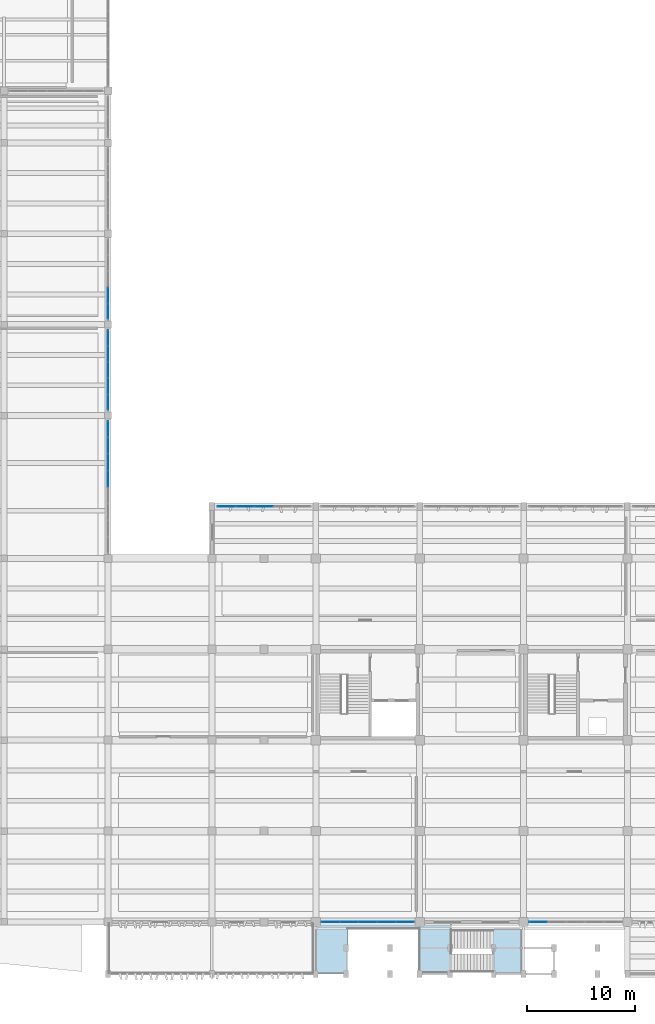
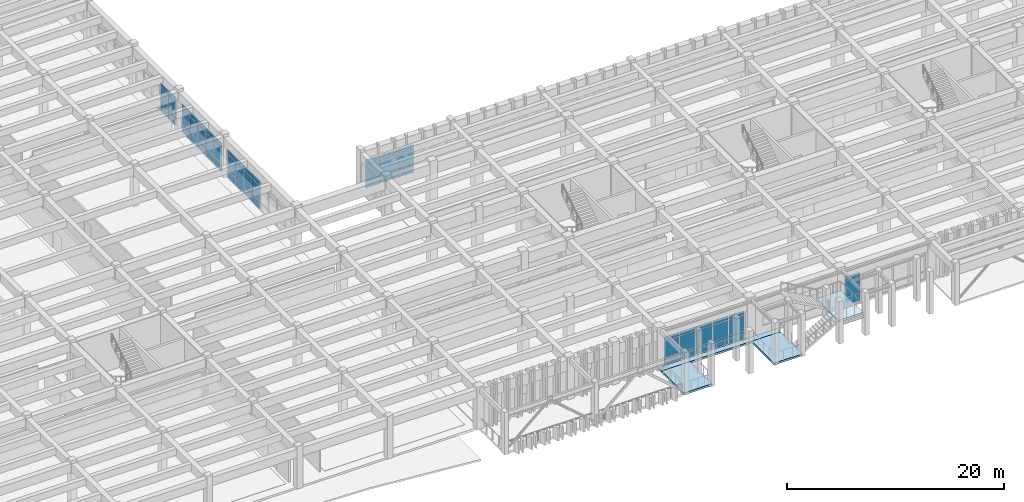
# One storey, part 46 of 86: 60 plates, 4 slabs, 7 elements without a shape of their own.
"""IFC4 building model written with IfcOpenShell, lengths in metres."""

from ifc_helpers import new_model, si_unit, direction, frame, origin, origin_2d, place, context, subcontext, project, spatial, polyline, rectangle, outline, extrude, material, layer, layer_set, type_object, element, aggregate, save


model = new_model("IFC4")

# Units and contexts
model_context = context("Model", 3, precision=1e-05, world=origin(), true_north=direction((0.0, 1.0)))
body_context = subcontext(model_context, "Body", "Model", "MODEL_VIEW")
ifc_project = project(units=[si_unit("LENGTHUNIT", "METRE"), si_unit("AREAUNIT", "SQUARE_METRE"), si_unit("VOLUMEUNIT", "CUBIC_METRE"), si_unit("PLANEANGLEUNIT", "RADIAN"), si_unit("MASSUNIT", "GRAM", prefix="KILO")], contexts=[model_context])

# Site, building, storey
site_placement = place(None, origin())
site = spatial("IfcSite", under=ifc_project, at=site_placement, CompositionType="ELEMENT")
building_placement = place(site_placement, origin())
building = spatial("IfcBuilding", under=site, at=building_placement, Name="Kolvemor Railside Polytechnic", CompositionType="ELEMENT")
storey_placement = place(building_placement, frame((0.0, 0.0, 5.39990234375)))
storey = spatial("IfcBuildingStorey", under=building, at=storey_placement, Name="L01", CompositionType="ELEMENT", Elevation=5.39990234375)

# Curtain wall, plates
ifc_material_1 = material(Name="Anodised marine aluminium and laminated low-E glass", Category="aluminium")
ifc_layer_1 = layer(ifc_material_1, 0.179931640625, Name="CW-UNIT-STD")
ifc_layer_set_1 = layer_set([ifc_layer_1], Name="Anodised marine aluminium and laminated low-E glass")
curtain_wall_type = type_object("IfcCurtainWallType", Name="CW-UNIT-STD", PredefinedType="USERDEFINED", material=ifc_layer_set_1)
curtain_wall_1_placement = place(storey_placement, origin())
curtain_wall_1 = element("IfcCurtainWall", 1, at=curtain_wall_1_placement, inside=storey, type_object=curtain_wall_type, Name="Curtain Wall L01-113", ObjectType="UNITISED CURTAIN WALL", PredefinedType="USERDEFINED")
ifc_material_2 = material(Name="Hurricane-laminated solar-control low-E glass", Category="glass")
ifc_layer_2 = layer(ifc_material_2, 0.02587890625, Name="CWP-GLZ-03")
ifc_layer_set_2 = layer_set([ifc_layer_2], Name="Hurricane-laminated solar-control low-E glass")
plate_type_1 = type_object("IfcPlateType", Name="CWP-GLZ-03", PredefinedType="CURTAIN_PANEL", material=ifc_layer_set_2)
plate_1_placement = place(storey_placement, frame((62.39990234375, 43.199951171875, 0.06494140625), z_axis=(0.0, 0.0, 1.0), x_axis=(-1.0, 0.0, 0.0)))
plate_1 = element("IfcPlate", 2, at=plate_1_placement, type_object=plate_type_1, Name="CW-STD panel 3.1", PredefinedType="CURTAIN_PANEL", context=body_context, shape_type="SweptSolid", body=[
    extrude(rectangle(XDim=1.6669921875, YDim=0.02587890625, at=origin_2d()), origin(), (0.0, 0.0, 1.0), 0.802490234375),
])
plate_2_placement = place(storey_placement, frame((62.39990234375, 43.199951171875, 0.9326171875), z_axis=(0.0, 0.0, 1.0), x_axis=(-1.0, 0.0, 0.0)))
plate_2 = element("IfcPlate", 3, at=plate_2_placement, type_object=plate_type_1, Name="CW-STD panel 3.2", PredefinedType="CURTAIN_PANEL", context=body_context, shape_type="SweptSolid", body=[
    extrude(rectangle(XDim=1.6669921875, YDim=0.02587890625, at=origin_2d()), origin(), (0.0, 0.0, 1.0), 1.764892578125),
])
plate_3_placement = place(storey_placement, frame((62.39990234375, 43.199951171875, 2.7626953125), z_axis=(0.0, 0.0, 1.0), x_axis=(-1.0, 0.0, 0.0)))
plate_3 = element("IfcPlate", 4, at=plate_3_placement, type_object=plate_type_1, Name="CW-STD panel 3.3", PredefinedType="CURTAIN_PANEL", context=body_context, shape_type="SweptSolid", body=[
    extrude(rectangle(XDim=1.6669921875, YDim=0.02587890625, at=origin_2d()), origin(), (0.0, 0.0, 1.0), 0.452392578125),
])
plate_4_placement = place(storey_placement, frame((60.66796875, 43.199951171875, 0.06494140625), z_axis=(0.0, 0.0, 1.0), x_axis=(-1.0, 0.0, 0.0)))
plate_4 = element("IfcPlate", 5, at=plate_4_placement, type_object=plate_type_1, Name="CW-STD panel 4.1", PredefinedType="CURTAIN_PANEL", context=body_context, shape_type="SweptSolid", body=[
    extrude(rectangle(XDim=1.6669921875, YDim=0.02587890625, at=origin_2d()), origin(), (0.0, 0.0, 1.0), 0.802490234375),
])
plate_5_placement = place(storey_placement, frame((60.66796875, 43.199951171875, 0.9326171875), z_axis=(0.0, 0.0, 1.0), x_axis=(-1.0, 0.0, 0.0)))
plate_5 = element("IfcPlate", 6, at=plate_5_placement, type_object=plate_type_1, Name="CW-STD panel 4.2", PredefinedType="CURTAIN_PANEL", context=body_context, shape_type="SweptSolid", body=[
    extrude(rectangle(XDim=1.6669921875, YDim=0.02587890625, at=origin_2d()), origin(), (0.0, 0.0, 1.0), 1.764892578125),
])
plate_6_placement = place(storey_placement, frame((60.66796875, 43.199951171875, 2.7626953125), z_axis=(0.0, 0.0, 1.0), x_axis=(-1.0, 0.0, 0.0)))
plate_6 = element("IfcPlate", 7, at=plate_6_placement, type_object=plate_type_1, Name="CW-STD panel 4.3", PredefinedType="CURTAIN_PANEL", context=body_context, shape_type="SweptSolid", body=[
    extrude(rectangle(XDim=1.6669921875, YDim=0.02587890625, at=origin_2d()), origin(), (0.0, 0.0, 1.0), 0.452392578125),
])
plate_7_placement = place(storey_placement, frame((58.9521484375, 43.199951171875, 0.06494140625), z_axis=(0.0, 0.0, 1.0), x_axis=(-1.0, 0.0, 0.0)))
plate_7 = element("IfcPlate", 8, at=plate_7_placement, type_object=plate_type_1, Name="CW-STD panel 5.1", PredefinedType="CURTAIN_PANEL", context=body_context, shape_type="SweptSolid", body=[
    extrude(rectangle(XDim=1.634521484375, YDim=0.02587890625, at=origin_2d()), origin(), (0.0, 0.0, 1.0), 0.802490234375),
])
plate_8_placement = place(storey_placement, frame((58.9521484375, 43.199951171875, 0.9326171875), z_axis=(0.0, 0.0, 1.0), x_axis=(-1.0, 0.0, 0.0)))
plate_8 = element("IfcPlate", 9, at=plate_8_placement, type_object=plate_type_1, Name="CW-STD panel 5.2", PredefinedType="CURTAIN_PANEL", context=body_context, shape_type="SweptSolid", body=[
    extrude(rectangle(XDim=1.634521484375, YDim=0.02587890625, at=origin_2d()), origin(), (0.0, 0.0, 1.0), 1.764892578125),
])
plate_9_placement = place(storey_placement, frame((58.9521484375, 43.199951171875, 2.7626953125), z_axis=(0.0, 0.0, 1.0), x_axis=(-1.0, 0.0, 0.0)))
plate_9 = element("IfcPlate", 10, at=plate_9_placement, type_object=plate_type_1, Name="CW-STD panel 5.3", PredefinedType="CURTAIN_PANEL", context=body_context, shape_type="SweptSolid", body=[
    extrude(rectangle(XDim=1.634521484375, YDim=0.02587890625, at=origin_2d()), origin(), (0.0, 0.0, 1.0), 0.452392578125),
])
aggregate(curtain_wall_1, [plate_1, plate_2, plate_3, plate_4, plate_5, plate_6, plate_7, plate_8, plate_9])

curtain_wall_2_placement = place(storey_placement, origin())
curtain_wall_2 = element("IfcCurtainWall", 11, at=curtain_wall_2_placement, inside=storey, type_object=curtain_wall_type, Name="Curtain Wall L01-096", ObjectType="UNITISED CURTAIN WALL", PredefinedType="USERDEFINED")
ifc_material_3 = material(Name="Hurricane-laminated solar-control low-E glass", Category="glass")
ifc_layer_3 = layer(ifc_material_3, 0.031982421875, Name="CWP-GLZ-06")
ifc_layer_set_3 = layer_set([ifc_layer_3], Name="Hurricane-laminated solar-control low-E glass")
plate_type_2 = type_object("IfcPlateType", Name="CWP-GLZ-06", PredefinedType="CURTAIN_PANEL", material=ifc_layer_set_3)
plate_10_placement = place(storey_placement, frame((68.5546875, 4.800048828125, 0.074951171875), z_axis=(0.0, 0.0, 1.0), x_axis=(1.0, 0.0, 0.0)))
plate_10 = element("IfcPlate", 12, at=plate_10_placement, type_object=plate_type_2, Name="CW-STD panel 1.1", PredefinedType="CURTAIN_PANEL", context=body_context, shape_type="SweptSolid", body=[
    extrude(rectangle(XDim=1.619384765625, YDim=0.031982421875, at=origin_2d()), origin(), (0.0, 0.0, 1.0), 0.78759765625),
])
plate_11_placement = place(storey_placement, frame((68.5546875, 4.800048828125, 0.937744140625), z_axis=(0.0, 0.0, 1.0), x_axis=(1.0, 0.0, 0.0)))
plate_11 = element("IfcPlate", 13, at=plate_11_placement, type_object=plate_type_2, Name="CW-STD panel 1.2", PredefinedType="CURTAIN_PANEL", context=body_context, shape_type="SweptSolid", body=[
    extrude(rectangle(XDim=1.619384765625, YDim=0.031982421875, at=origin_2d()), origin(), (0.0, 0.0, 1.0), 1.7548828125),
])
plate_12_placement = place(storey_placement, frame((68.5546875, 4.800048828125, 2.767578125), z_axis=(0.0, 0.0, 1.0), x_axis=(1.0, 0.0, 0.0)))
plate_12 = element("IfcPlate", 14, at=plate_12_placement, type_object=plate_type_2, Name="CW-STD panel 1.3", PredefinedType="CURTAIN_PANEL", context=body_context, shape_type="SweptSolid", body=[
    extrude(rectangle(XDim=1.619384765625, YDim=0.031982421875, at=origin_2d()), origin(), (0.0, 0.0, 1.0), 0.4375),
])
plate_13_placement = place(storey_placement, frame((70.26806640625, 4.800048828125, 0.074951171875), z_axis=(0.0, 0.0, 1.0), x_axis=(1.0, 0.0, 0.0)))
plate_13 = element("IfcPlate", 15, at=plate_13_placement, type_object=plate_type_2, Name="CW-STD panel 2.1", PredefinedType="CURTAIN_PANEL", context=body_context, shape_type="SweptSolid", body=[
    extrude(rectangle(XDim=1.656982421875, YDim=0.031982421875, at=origin_2d()), origin(), (0.0, 0.0, 1.0), 0.78759765625),
])
plate_14_placement = place(storey_placement, frame((70.26806640625, 4.800048828125, 0.937744140625), z_axis=(0.0, 0.0, 1.0), x_axis=(1.0, 0.0, 0.0)))
plate_14 = element("IfcPlate", 16, at=plate_14_placement, type_object=plate_type_2, Name="CW-STD panel 2.2", PredefinedType="CURTAIN_PANEL", context=body_context, shape_type="SweptSolid", body=[
    extrude(rectangle(XDim=1.656982421875, YDim=0.031982421875, at=origin_2d()), origin(), (0.0, 0.0, 1.0), 1.7548828125),
])
plate_15_placement = place(storey_placement, frame((70.26806640625, 4.800048828125, 2.767578125), z_axis=(0.0, 0.0, 1.0), x_axis=(1.0, 0.0, 0.0)))
plate_15 = element("IfcPlate", 17, at=plate_15_placement, type_object=plate_type_2, Name="CW-STD panel 2.3", PredefinedType="CURTAIN_PANEL", context=body_context, shape_type="SweptSolid", body=[
    extrude(rectangle(XDim=1.656982421875, YDim=0.031982421875, at=origin_2d()), origin(), (0.0, 0.0, 1.0), 0.4375),
])
plate_16_placement = place(storey_placement, frame((72.0, 4.800048828125, 0.074951171875), z_axis=(0.0, 0.0, 1.0), x_axis=(1.0, 0.0, 0.0)))
plate_16 = element("IfcPlate", 18, at=plate_16_placement, type_object=plate_type_2, Name="CW-STD panel 3.1", PredefinedType="CURTAIN_PANEL", context=body_context, shape_type="SweptSolid", body=[
    extrude(rectangle(XDim=1.656982421875, YDim=0.031982421875, at=origin_2d()), origin(), (0.0, 0.0, 1.0), 0.78759765625),
])
plate_17_placement = place(storey_placement, frame((72.0, 4.800048828125, 0.937744140625), z_axis=(0.0, 0.0, 1.0), x_axis=(1.0, 0.0, 0.0)))
plate_17 = element("IfcPlate", 19, at=plate_17_placement, type_object=plate_type_2, Name="CW-STD panel 3.2", PredefinedType="CURTAIN_PANEL", context=body_context, shape_type="SweptSolid", body=[
    extrude(rectangle(XDim=1.656982421875, YDim=0.031982421875, at=origin_2d()), origin(), (0.0, 0.0, 1.0), 1.7548828125),
])
plate_18_placement = place(storey_placement, frame((72.0, 4.800048828125, 2.767578125), z_axis=(0.0, 0.0, 1.0), x_axis=(1.0, 0.0, 0.0)))
plate_18 = element("IfcPlate", 20, at=plate_18_placement, type_object=plate_type_2, Name="CW-STD panel 3.3", PredefinedType="CURTAIN_PANEL", context=body_context, shape_type="SweptSolid", body=[
    extrude(rectangle(XDim=1.656982421875, YDim=0.031982421875, at=origin_2d()), origin(), (0.0, 0.0, 1.0), 0.4375),
])
plate_19_placement = place(storey_placement, frame((73.73193359375, 4.800048828125, 0.074951171875), z_axis=(0.0, 0.0, 1.0), x_axis=(1.0, 0.0, 0.0)))
plate_19 = element("IfcPlate", 21, at=plate_19_placement, type_object=plate_type_2, Name="CW-STD panel 4.1", PredefinedType="CURTAIN_PANEL", context=body_context, shape_type="SweptSolid", body=[
    extrude(rectangle(XDim=1.656982421875, YDim=0.031982421875, at=origin_2d()), origin(), (0.0, 0.0, 1.0), 0.78759765625),
])
plate_20_placement = place(storey_placement, frame((73.73193359375, 4.800048828125, 0.937744140625), z_axis=(0.0, 0.0, 1.0), x_axis=(1.0, 0.0, 0.0)))
plate_20 = element("IfcPlate", 22, at=plate_20_placement, type_object=plate_type_2, Name="CW-STD panel 4.2", PredefinedType="CURTAIN_PANEL", context=body_context, shape_type="SweptSolid", body=[
    extrude(rectangle(XDim=1.656982421875, YDim=0.031982421875, at=origin_2d()), origin(), (0.0, 0.0, 1.0), 1.7548828125),
])
plate_21_placement = place(storey_placement, frame((73.73193359375, 4.800048828125, 2.767578125), z_axis=(0.0, 0.0, 1.0), x_axis=(1.0, 0.0, 0.0)))
plate_21 = element("IfcPlate", 23, at=plate_21_placement, type_object=plate_type_2, Name="CW-STD panel 4.3", PredefinedType="CURTAIN_PANEL", context=body_context, shape_type="SweptSolid", body=[
    extrude(rectangle(XDim=1.656982421875, YDim=0.031982421875, at=origin_2d()), origin(), (0.0, 0.0, 1.0), 0.4375),
])
plate_22_placement = place(storey_placement, frame((75.4453125, 4.800048828125, 0.074951171875), z_axis=(0.0, 0.0, 1.0), x_axis=(1.0, 0.0, 0.0)))
plate_22 = element("IfcPlate", 24, at=plate_22_placement, type_object=plate_type_2, Name="CW-STD panel 5.1", PredefinedType="CURTAIN_PANEL", context=body_context, shape_type="SweptSolid", body=[
    extrude(rectangle(XDim=1.619384765625, YDim=0.031982421875, at=origin_2d()), origin(), (0.0, 0.0, 1.0), 0.78759765625),
])
plate_23_placement = place(storey_placement, frame((75.4453125, 4.800048828125, 0.937744140625), z_axis=(0.0, 0.0, 1.0), x_axis=(1.0, 0.0, 0.0)))
plate_23 = element("IfcPlate", 25, at=plate_23_placement, type_object=plate_type_2, Name="CW-STD panel 5.2", PredefinedType="CURTAIN_PANEL", context=body_context, shape_type="SweptSolid", body=[
    extrude(rectangle(XDim=1.619384765625, YDim=0.031982421875, at=origin_2d()), origin(), (0.0, 0.0, 1.0), 1.7548828125),
])
plate_24_placement = place(storey_placement, frame((75.4453125, 4.800048828125, 2.767578125), z_axis=(0.0, 0.0, 1.0), x_axis=(1.0, 0.0, 0.0)))
plate_24 = element("IfcPlate", 26, at=plate_24_placement, type_object=plate_type_2, Name="CW-STD panel 5.3", PredefinedType="CURTAIN_PANEL", context=body_context, shape_type="SweptSolid", body=[
    extrude(rectangle(XDim=1.619384765625, YDim=0.031982421875, at=origin_2d()), origin(), (0.0, 0.0, 1.0), 0.4375),
])
aggregate(curtain_wall_2, [plate_10, plate_11, plate_12, plate_13, plate_14, plate_15, plate_16, plate_17, plate_18, plate_19, plate_20, plate_21, plate_22, plate_23, plate_24])

curtain_wall_3_placement = place(storey_placement, origin())
curtain_wall_3 = element("IfcCurtainWall", 27, at=curtain_wall_3_placement, inside=storey, type_object=curtain_wall_type, Name="Curtain Wall L01-056", ObjectType="UNITISED CURTAIN WALL", PredefinedType="USERDEFINED")
ifc_material_4 = material(Name="Hurricane-laminated solar-control low-E glass", Category="glass")
ifc_layer_4 = layer(ifc_material_4, 0.035888671875, Name="CWP-GLZ-08")
ifc_layer_set_4 = layer_set([ifc_layer_4], Name="Hurricane-laminated solar-control low-E glass")
plate_type_3 = type_object("IfcPlateType", Name="CWP-GLZ-08", PredefinedType="CURTAIN_PANEL", material=ifc_layer_set_4)
plate_25_placement = place(storey_placement, frame((48.0, 45.766357421875, 0.06494140625), z_axis=(0.0, 0.0, 1.0), x_axis=(0.0, 1.0, 0.0)))
plate_25 = element("IfcPlate", 28, at=plate_25_placement, type_object=plate_type_3, Name="CW-STD panel 5.1", PredefinedType="CURTAIN_PANEL", context=body_context, shape_type="SweptSolid", body=[
    extrude(rectangle(XDim=1.467529296875, YDim=0.035888671875, at=origin_2d()), origin(), (0.0, 0.0, 1.0), 0.802490234375),
])
plate_26_placement = place(storey_placement, frame((48.0, 45.766357421875, 0.9326171875), z_axis=(0.0, 0.0, 1.0), x_axis=(0.0, 1.0, 0.0)))
plate_26 = element("IfcPlate", 29, at=plate_26_placement, type_object=plate_type_3, Name="CW-STD panel 5.2", PredefinedType="CURTAIN_PANEL", context=body_context, shape_type="SweptSolid", body=[
    extrude(rectangle(XDim=1.467529296875, YDim=0.035888671875, at=origin_2d()), origin(), (0.0, 0.0, 1.0), 1.764892578125),
])
plate_27_placement = place(storey_placement, frame((48.0, 45.766357421875, 2.7626953125), z_axis=(0.0, 0.0, 1.0), x_axis=(0.0, 1.0, 0.0)))
plate_27 = element("IfcPlate", 30, at=plate_27_placement, type_object=plate_type_3, Name="CW-STD panel 5.3", PredefinedType="CURTAIN_PANEL", context=body_context, shape_type="SweptSolid", body=[
    extrude(rectangle(XDim=1.467529296875, YDim=0.035888671875, at=origin_2d()), origin(), (0.0, 0.0, 1.0), 0.452392578125),
])
plate_28_placement = place(storey_placement, frame((48.0, 47.298828125, 0.06494140625), z_axis=(0.0, 0.0, 1.0), x_axis=(0.0, 1.0, 0.0)))
plate_28 = element("IfcPlate", 31, at=plate_28_placement, type_object=plate_type_3, Name="CW-STD panel 6.1", PredefinedType="CURTAIN_PANEL", context=body_context, shape_type="SweptSolid", body=[
    extrude(rectangle(XDim=1.467529296875, YDim=0.035888671875, at=origin_2d()), origin(), (0.0, 0.0, 1.0), 0.802490234375),
])
plate_29_placement = place(storey_placement, frame((48.0, 47.298828125, 0.9326171875), z_axis=(0.0, 0.0, 1.0), x_axis=(0.0, 1.0, 0.0)))
plate_29 = element("IfcPlate", 32, at=plate_29_placement, type_object=plate_type_3, Name="CW-STD panel 6.2", PredefinedType="CURTAIN_PANEL", context=body_context, shape_type="SweptSolid", body=[
    extrude(rectangle(XDim=1.467529296875, YDim=0.035888671875, at=origin_2d()), origin(), (0.0, 0.0, 1.0), 1.764892578125),
])
plate_30_placement = place(storey_placement, frame((48.0, 47.298828125, 2.7626953125), z_axis=(0.0, 0.0, 1.0), x_axis=(0.0, 1.0, 0.0)))
plate_30 = element("IfcPlate", 33, at=plate_30_placement, type_object=plate_type_3, Name="CW-STD panel 6.3", PredefinedType="CURTAIN_PANEL", context=body_context, shape_type="SweptSolid", body=[
    extrude(rectangle(XDim=1.467529296875, YDim=0.035888671875, at=origin_2d()), origin(), (0.0, 0.0, 1.0), 0.452392578125),
])
plate_31_placement = place(storey_placement, frame((48.0, 48.831298828125, 0.06494140625), z_axis=(0.0, 0.0, 1.0), x_axis=(0.0, 1.0, 0.0)))
plate_31 = element("IfcPlate", 34, at=plate_31_placement, type_object=plate_type_3, Name="CW-STD panel 7.1", PredefinedType="CURTAIN_PANEL", context=body_context, shape_type="SweptSolid", body=[
    extrude(rectangle(XDim=1.467529296875, YDim=0.035888671875, at=origin_2d()), origin(), (0.0, 0.0, 1.0), 0.802490234375),
])
plate_32_placement = place(storey_placement, frame((48.0, 48.831298828125, 0.9326171875), z_axis=(0.0, 0.0, 1.0), x_axis=(0.0, 1.0, 0.0)))
plate_32 = element("IfcPlate", 35, at=plate_32_placement, type_object=plate_type_3, Name="CW-STD panel 7.2", PredefinedType="CURTAIN_PANEL", context=body_context, shape_type="SweptSolid", body=[
    extrude(rectangle(XDim=1.467529296875, YDim=0.035888671875, at=origin_2d()), origin(), (0.0, 0.0, 1.0), 1.764892578125),
])
plate_33_placement = place(storey_placement, frame((48.0, 48.831298828125, 2.7626953125), z_axis=(0.0, 0.0, 1.0), x_axis=(0.0, 1.0, 0.0)))
plate_33 = element("IfcPlate", 36, at=plate_33_placement, type_object=plate_type_3, Name="CW-STD panel 7.3", PredefinedType="CURTAIN_PANEL", context=body_context, shape_type="SweptSolid", body=[
    extrude(rectangle(XDim=1.467529296875, YDim=0.035888671875, at=origin_2d()), origin(), (0.0, 0.0, 1.0), 0.452392578125),
])
plate_34_placement = place(storey_placement, frame((48.0, 50.347412109375, 0.06494140625), z_axis=(0.0, 0.0, 1.0), x_axis=(0.0, 1.0, 0.0)))
plate_34 = element("IfcPlate", 37, at=plate_34_placement, type_object=plate_type_3, Name="CW-STD panel 8.1", PredefinedType="CURTAIN_PANEL", context=body_context, shape_type="SweptSolid", body=[
    extrude(rectangle(XDim=1.43505859375, YDim=0.035888671875, at=origin_2d()), origin(), (0.0, 0.0, 1.0), 0.802490234375),
])
plate_35_placement = place(storey_placement, frame((48.0, 50.347412109375, 0.9326171875), z_axis=(0.0, 0.0, 1.0), x_axis=(0.0, 1.0, 0.0)))
plate_35 = element("IfcPlate", 38, at=plate_35_placement, type_object=plate_type_3, Name="CW-STD panel 8.2", PredefinedType="CURTAIN_PANEL", context=body_context, shape_type="SweptSolid", body=[
    extrude(rectangle(XDim=1.43505859375, YDim=0.035888671875, at=origin_2d()), origin(), (0.0, 0.0, 1.0), 1.764892578125),
])
plate_36_placement = place(storey_placement, frame((48.0, 50.347412109375, 2.7626953125), z_axis=(0.0, 0.0, 1.0), x_axis=(0.0, 1.0, 0.0)))
plate_36 = element("IfcPlate", 39, at=plate_36_placement, type_object=plate_type_3, Name="CW-STD panel 8.3", PredefinedType="CURTAIN_PANEL", context=body_context, shape_type="SweptSolid", body=[
    extrude(rectangle(XDim=1.43505859375, YDim=0.035888671875, at=origin_2d()), origin(), (0.0, 0.0, 1.0), 0.452392578125),
])
aggregate(curtain_wall_3, [plate_25, plate_26, plate_27, plate_28, plate_29, plate_30, plate_31, plate_32, plate_33, plate_34, plate_35, plate_36])

curtain_wall_4_placement = place(storey_placement, origin())
curtain_wall_4 = element("IfcCurtainWall", 40, at=curtain_wall_4_placement, inside=storey, type_object=curtain_wall_type, Name="Curtain Wall L01-097", ObjectType="UNITISED CURTAIN WALL", PredefinedType="USERDEFINED")
plate_37_placement = place(storey_placement, frame((87.754638671875, 4.800048828125, 0.074951171875), z_axis=(0.0, 0.0, 1.0), x_axis=(1.0, 0.0, 0.0)))
plate_37 = element("IfcPlate", 41, at=plate_37_placement, type_object=plate_type_3, Name="CW-STD panel 1.1", PredefinedType="CURTAIN_PANEL", context=body_context, shape_type="SweptSolid", body=[
    extrude(rectangle(XDim=1.619384765625, YDim=0.035888671875, at=origin_2d()), origin(), (0.0, 0.0, 1.0), 0.78759765625),
])
plate_38_placement = place(storey_placement, frame((87.754638671875, 4.800048828125, 0.937744140625), z_axis=(0.0, 0.0, 1.0), x_axis=(1.0, 0.0, 0.0)))
plate_38 = element("IfcPlate", 42, at=plate_38_placement, type_object=plate_type_3, Name="CW-STD panel 1.2", PredefinedType="CURTAIN_PANEL", context=body_context, shape_type="SweptSolid", body=[
    extrude(rectangle(XDim=1.619384765625, YDim=0.035888671875, at=origin_2d()), origin(), (0.0, 0.0, 1.0), 1.7548828125),
])
plate_39_placement = place(storey_placement, frame((87.754638671875, 4.800048828125, 2.767578125), z_axis=(0.0, 0.0, 1.0), x_axis=(1.0, 0.0, 0.0)))
plate_39 = element("IfcPlate", 43, at=plate_39_placement, type_object=plate_type_3, Name="CW-STD panel 1.3", PredefinedType="CURTAIN_PANEL", context=body_context, shape_type="SweptSolid", body=[
    extrude(rectangle(XDim=1.619384765625, YDim=0.035888671875, at=origin_2d()), origin(), (0.0, 0.0, 1.0), 0.4375),
])
aggregate(curtain_wall_4, [plate_37, plate_38, plate_39])

curtain_wall_5_placement = place(storey_placement, origin())
curtain_wall_5 = element("IfcCurtainWall", 44, at=curtain_wall_5_placement, inside=storey, type_object=curtain_wall_type, Name="Curtain Wall L01-066", ObjectType="UNITISED CURTAIN WALL", PredefinedType="USERDEFINED")
ifc_material_5 = material(Name="Hurricane-laminated solar-control low-E glass", Category="glass")
ifc_layer_5 = layer(ifc_material_5, 0.0380859375, Name="CWP-GLZ-09")
ifc_layer_set_5 = layer_set([ifc_layer_5], Name="Hurricane-laminated solar-control low-E glass")
plate_type_4 = type_object("IfcPlateType", Name="CWP-GLZ-09", PredefinedType="CURTAIN_PANEL", material=ifc_layer_set_5)
plate_40_placement = place(storey_placement, frame((48.0, 52.832275390625, 0.06494140625), z_axis=(0.0, 0.0, 1.0), x_axis=(0.0, 1.0, 0.0)))
plate_40 = element("IfcPlate", 45, at=plate_40_placement, type_object=plate_type_4, Name="CW-STD panel 1.1", PredefinedType="CURTAIN_PANEL", context=body_context, shape_type="SweptSolid", body=[
    extrude(rectangle(XDim=1.39453125, YDim=0.0380859375, at=origin_2d()), origin(), (0.0, 0.0, 1.0), 0.802490234375),
])
plate_41_placement = place(storey_placement, frame((48.0, 52.832275390625, 0.9326171875), z_axis=(0.0, 0.0, 1.0), x_axis=(0.0, 1.0, 0.0)))
plate_41 = element("IfcPlate", 46, at=plate_41_placement, type_object=plate_type_4, Name="CW-STD panel 1.2", PredefinedType="CURTAIN_PANEL", context=body_context, shape_type="SweptSolid", body=[
    extrude(rectangle(XDim=1.39453125, YDim=0.0380859375, at=origin_2d()), origin(), (0.0, 0.0, 1.0), 1.764892578125),
])
plate_42_placement = place(storey_placement, frame((48.0, 52.832275390625, 2.7626953125), z_axis=(0.0, 0.0, 1.0), x_axis=(0.0, 1.0, 0.0)))
plate_42 = element("IfcPlate", 47, at=plate_42_placement, type_object=plate_type_4, Name="CW-STD panel 1.3", PredefinedType="CURTAIN_PANEL", context=body_context, shape_type="SweptSolid", body=[
    extrude(rectangle(XDim=1.39453125, YDim=0.0380859375, at=origin_2d()), origin(), (0.0, 0.0, 1.0), 0.452392578125),
])
plate_43_placement = place(storey_placement, frame((48.0, 54.30810546875, 0.06494140625), z_axis=(0.0, 0.0, 1.0), x_axis=(0.0, 1.0, 0.0)))
plate_43 = element("IfcPlate", 48, at=plate_43_placement, type_object=plate_type_4, Name="CW-STD panel 2.1", PredefinedType="CURTAIN_PANEL", context=body_context, shape_type="SweptSolid", body=[
    extrude(rectangle(XDim=1.427001953125, YDim=0.0380859375, at=origin_2d()), origin(), (0.0, 0.0, 1.0), 0.802490234375),
])
plate_44_placement = place(storey_placement, frame((48.0, 54.30810546875, 0.9326171875), z_axis=(0.0, 0.0, 1.0), x_axis=(0.0, 1.0, 0.0)))
plate_44 = element("IfcPlate", 49, at=plate_44_placement, type_object=plate_type_4, Name="CW-STD panel 2.2", PredefinedType="CURTAIN_PANEL", context=body_context, shape_type="SweptSolid", body=[
    extrude(rectangle(XDim=1.427001953125, YDim=0.0380859375, at=origin_2d()), origin(), (0.0, 0.0, 1.0), 1.764892578125),
])
plate_45_placement = place(storey_placement, frame((48.0, 54.30810546875, 2.7626953125), z_axis=(0.0, 0.0, 1.0), x_axis=(0.0, 1.0, 0.0)))
plate_45 = element("IfcPlate", 50, at=plate_45_placement, type_object=plate_type_4, Name="CW-STD panel 2.3", PredefinedType="CURTAIN_PANEL", context=body_context, shape_type="SweptSolid", body=[
    extrude(rectangle(XDim=1.427001953125, YDim=0.0380859375, at=origin_2d()), origin(), (0.0, 0.0, 1.0), 0.452392578125),
])
plate_46_placement = place(storey_placement, frame((48.0, 55.800048828125, 0.06494140625), z_axis=(0.0, 0.0, 1.0), x_axis=(0.0, 1.0, 0.0)))
plate_46 = element("IfcPlate", 51, at=plate_46_placement, type_object=plate_type_4, Name="CW-STD panel 3.1", PredefinedType="CURTAIN_PANEL", context=body_context, shape_type="SweptSolid", body=[
    extrude(rectangle(XDim=1.427001953125, YDim=0.0380859375, at=origin_2d()), origin(), (0.0, 0.0, 1.0), 0.802490234375),
])
plate_47_placement = place(storey_placement, frame((48.0, 55.800048828125, 0.9326171875), z_axis=(0.0, 0.0, 1.0), x_axis=(0.0, 1.0, 0.0)))
plate_47 = element("IfcPlate", 52, at=plate_47_placement, type_object=plate_type_4, Name="CW-STD panel 3.2", PredefinedType="CURTAIN_PANEL", context=body_context, shape_type="SweptSolid", body=[
    extrude(rectangle(XDim=1.427001953125, YDim=0.0380859375, at=origin_2d()), origin(), (0.0, 0.0, 1.0), 1.764892578125),
])
plate_48_placement = place(storey_placement, frame((48.0, 55.800048828125, 2.7626953125), z_axis=(0.0, 0.0, 1.0), x_axis=(0.0, 1.0, 0.0)))
plate_48 = element("IfcPlate", 53, at=plate_48_placement, type_object=plate_type_4, Name="CW-STD panel 3.3", PredefinedType="CURTAIN_PANEL", context=body_context, shape_type="SweptSolid", body=[
    extrude(rectangle(XDim=1.427001953125, YDim=0.0380859375, at=origin_2d()), origin(), (0.0, 0.0, 1.0), 0.452392578125),
])
plate_49_placement = place(storey_placement, frame((48.0, 57.2919921875, 0.06494140625), z_axis=(0.0, 0.0, 1.0), x_axis=(0.0, 1.0, 0.0)))
plate_49 = element("IfcPlate", 54, at=plate_49_placement, type_object=plate_type_4, Name="CW-STD panel 4.1", PredefinedType="CURTAIN_PANEL", context=body_context, shape_type="SweptSolid", body=[
    extrude(rectangle(XDim=1.427001953125, YDim=0.0380859375, at=origin_2d()), origin(), (0.0, 0.0, 1.0), 0.802490234375),
])
plate_50_placement = place(storey_placement, frame((48.0, 57.2919921875, 0.9326171875), z_axis=(0.0, 0.0, 1.0), x_axis=(0.0, 1.0, 0.0)))
plate_50 = element("IfcPlate", 55, at=plate_50_placement, type_object=plate_type_4, Name="CW-STD panel 4.2", PredefinedType="CURTAIN_PANEL", context=body_context, shape_type="SweptSolid", body=[
    extrude(rectangle(XDim=1.427001953125, YDim=0.0380859375, at=origin_2d()), origin(), (0.0, 0.0, 1.0), 1.764892578125),
])
plate_51_placement = place(storey_placement, frame((48.0, 57.2919921875, 2.7626953125), z_axis=(0.0, 0.0, 1.0), x_axis=(0.0, 1.0, 0.0)))
plate_51 = element("IfcPlate", 56, at=plate_51_placement, type_object=plate_type_4, Name="CW-STD panel 4.3", PredefinedType="CURTAIN_PANEL", context=body_context, shape_type="SweptSolid", body=[
    extrude(rectangle(XDim=1.427001953125, YDim=0.0380859375, at=origin_2d()), origin(), (0.0, 0.0, 1.0), 0.452392578125),
])
plate_52_placement = place(storey_placement, frame((48.0, 58.767822265625, 0.06494140625), z_axis=(0.0, 0.0, 1.0), x_axis=(0.0, 1.0, 0.0)))
plate_52 = element("IfcPlate", 57, at=plate_52_placement, type_object=plate_type_4, Name="CW-STD panel 5.1", PredefinedType="CURTAIN_PANEL", context=body_context, shape_type="SweptSolid", body=[
    extrude(rectangle(XDim=1.39453125, YDim=0.0380859375, at=origin_2d()), origin(), (0.0, 0.0, 1.0), 0.802490234375),
])
plate_53_placement = place(storey_placement, frame((48.0, 58.767822265625, 0.9326171875), z_axis=(0.0, 0.0, 1.0), x_axis=(0.0, 1.0, 0.0)))
plate_53 = element("IfcPlate", 58, at=plate_53_placement, type_object=plate_type_4, Name="CW-STD panel 5.2", PredefinedType="CURTAIN_PANEL", context=body_context, shape_type="SweptSolid", body=[
    extrude(rectangle(XDim=1.39453125, YDim=0.0380859375, at=origin_2d()), origin(), (0.0, 0.0, 1.0), 1.764892578125),
])
plate_54_placement = place(storey_placement, frame((48.0, 58.767822265625, 2.7626953125), z_axis=(0.0, 0.0, 1.0), x_axis=(0.0, 1.0, 0.0)))
plate_54 = element("IfcPlate", 59, at=plate_54_placement, type_object=plate_type_4, Name="CW-STD panel 5.3", PredefinedType="CURTAIN_PANEL", context=body_context, shape_type="SweptSolid", body=[
    extrude(rectangle(XDim=1.39453125, YDim=0.0380859375, at=origin_2d()), origin(), (0.0, 0.0, 1.0), 0.452392578125),
])
aggregate(curtain_wall_5, [plate_40, plate_41, plate_42, plate_43, plate_44, plate_45, plate_46, plate_47, plate_48, plate_49, plate_50, plate_51, plate_52, plate_53, plate_54])

curtain_wall_6_placement = place(storey_placement, origin())
curtain_wall_6 = element("IfcCurtainWall", 60, at=curtain_wall_6_placement, inside=storey, type_object=curtain_wall_type, Name="Curtain Wall L01-076", ObjectType="UNITISED CURTAIN WALL", PredefinedType="USERDEFINED")
ifc_material_6 = material(Name="Hurricane-laminated solar-control low-E glass", Category="glass")
ifc_layer_6 = layer(ifc_material_6, 0.0400390625, Name="CWP-GLZ-10")
ifc_layer_set_6 = layer_set([ifc_layer_6], Name="Hurricane-laminated solar-control low-E glass")
plate_type_5 = type_object("IfcPlateType", Name="CWP-GLZ-10", PredefinedType="CURTAIN_PANEL", material=ifc_layer_set_6)
plate_55_placement = place(storey_placement, frame((48.0, 61.232177734375, 0.06494140625), z_axis=(0.0, 0.0, 1.0), x_axis=(0.0, 1.0, 0.0)))
plate_55 = element("IfcPlate", 61, at=plate_55_placement, type_object=plate_type_5, Name="CW-STD panel 1.1", PredefinedType="CURTAIN_PANEL", context=body_context, shape_type="SweptSolid", body=[
    extrude(rectangle(XDim=1.39453125, YDim=0.0400390625, at=origin_2d()), origin(), (0.0, 0.0, 1.0), 0.802490234375),
])
plate_56_placement = place(storey_placement, frame((48.0, 61.232177734375, 0.9326171875), z_axis=(0.0, 0.0, 1.0), x_axis=(0.0, 1.0, 0.0)))
plate_56 = element("IfcPlate", 62, at=plate_56_placement, type_object=plate_type_5, Name="CW-STD panel 1.2", PredefinedType="CURTAIN_PANEL", context=body_context, shape_type="SweptSolid", body=[
    extrude(rectangle(XDim=1.39453125, YDim=0.0400390625, at=origin_2d()), origin(), (0.0, 0.0, 1.0), 1.764892578125),
])
plate_57_placement = place(storey_placement, frame((48.0, 61.232177734375, 2.7626953125), z_axis=(0.0, 0.0, 1.0), x_axis=(0.0, 1.0, 0.0)))
plate_57 = element("IfcPlate", 63, at=plate_57_placement, type_object=plate_type_5, Name="CW-STD panel 1.3", PredefinedType="CURTAIN_PANEL", context=body_context, shape_type="SweptSolid", body=[
    extrude(rectangle(XDim=1.39453125, YDim=0.0400390625, at=origin_2d()), origin(), (0.0, 0.0, 1.0), 0.452392578125),
])
plate_58_placement = place(storey_placement, frame((48.0, 62.7080078125, 0.06494140625), z_axis=(0.0, 0.0, 1.0), x_axis=(0.0, 1.0, 0.0)))
plate_58 = element("IfcPlate", 64, at=plate_58_placement, type_object=plate_type_5, Name="CW-STD panel 2.1", PredefinedType="CURTAIN_PANEL", context=body_context, shape_type="SweptSolid", body=[
    extrude(rectangle(XDim=1.427001953125, YDim=0.0400390625, at=origin_2d()), origin(), (0.0, 0.0, 1.0), 0.802490234375),
])
plate_59_placement = place(storey_placement, frame((48.0, 62.7080078125, 0.9326171875), z_axis=(0.0, 0.0, 1.0), x_axis=(0.0, 1.0, 0.0)))
plate_59 = element("IfcPlate", 65, at=plate_59_placement, type_object=plate_type_5, Name="CW-STD panel 2.2", PredefinedType="CURTAIN_PANEL", context=body_context, shape_type="SweptSolid", body=[
    extrude(rectangle(XDim=1.427001953125, YDim=0.0400390625, at=origin_2d()), origin(), (0.0, 0.0, 1.0), 1.764892578125),
])
plate_60_placement = place(storey_placement, frame((48.0, 62.7080078125, 2.7626953125), z_axis=(0.0, 0.0, 1.0), x_axis=(0.0, 1.0, 0.0)))
plate_60 = element("IfcPlate", 66, at=plate_60_placement, type_object=plate_type_5, Name="CW-STD panel 2.3", PredefinedType="CURTAIN_PANEL", context=body_context, shape_type="SweptSolid", body=[
    extrude(rectangle(XDim=1.427001953125, YDim=0.0400390625, at=origin_2d()), origin(), (0.0, 0.0, 1.0), 0.452392578125),
])
aggregate(curtain_wall_6, [plate_55, plate_56, plate_57, plate_58, plate_59, plate_60])

# Slabs
ifc_material_7 = material(Name="Concrete C40/50", Category="concrete")
ifc_layer_7 = layer(ifc_material_7, 0.219970703125, Name="SLB-LND-170")
ifc_layer_set_7 = layer_set([ifc_layer_7], Name="Concrete C40/50")
slab_type = type_object("IfcSlabType", Name="SLB-LND-170", PredefinedType="LANDING", material=ifc_layer_set_7)
slab_1_placement = place(storey_placement, frame((0.0, 0.0, -0.219970703125)))
element("IfcSlab", 67, at=slab_1_placement, inside=storey, type_object=slab_type, Name="External Zigzag Stair Arrival Landing L01", PredefinedType="LANDING", context=body_context, shape_type="SweptSolid", body=[
    extrude(outline(polyline([(67.10009765625, 0.050048828125), (70.14990234375, 0.050048828125), (70.14990234375, 4.14990234375), (67.10009765625, 4.14990234375), (67.10009765625, 0.050048828125)])), origin(), (0.0, 0.0, 1.0), 0.219970703125),
])
slab_2_placement = place(storey_placement, frame((0.0, 0.0, -0.219970703125)))
element("IfcSlab", 68, at=slab_2_placement, inside=storey, type_object=slab_type, Name="External Zigzag Stair Departure Landing L01", PredefinedType="LANDING", context=body_context, shape_type="SweptSolid", body=[
    extrude(outline(polyline([(76.699951171875, 0.050048828125), (79.75, 0.050048828125), (79.75, 4.14990234375), (76.699951171875, 4.14990234375), (76.699951171875, 0.050048828125)])), origin(), (0.0, 0.0, 1.0), 0.219970703125),
])
slab_3_placement = place(storey_placement, frame((0.0, 0.0, -0.219970703125)))
element("IfcSlab", 69, at=slab_3_placement, inside=storey, type_object=slab_type, Name="External Zigzag Rear Gallery L01-1", PredefinedType="LANDING", context=body_context, shape_type="SweptSolid", body=[
    extrude(outline(polyline([(67.10009765625, 4.159912109375), (79.75, 4.159912109375), (79.75, 4.780029296875), (67.10009765625, 4.780029296875), (67.10009765625, 4.159912109375)])), origin(), (0.0, 0.0, 1.0), 0.219970703125),
])

# Stair, slab
ifc_material_8 = material(Name="Steel S355", Category="steel")
stair_type = type_object("IfcStairType", Name="STR-EXT-ZIG", PredefinedType="HALF_TURN_STAIR", material=ifc_material_8)
stair_placement = place(storey_placement, origin())
stair = element("IfcStair", 70, at=stair_placement, inside=storey, type_object=stair_type, Name="External Zigzag Terrace Stair (L01 to L02)", PredefinedType="HALF_TURN_STAIR")
slab_4_placement = place(storey_placement, frame((0.0, 0.0, 2.18017578125)))
slab_4 = element("IfcSlab", 71, at=slab_4_placement, type_object=slab_type, Name="ST-EXT-L01 landing 1", PredefinedType="LANDING", context=body_context, shape_type="SweptSolid", body=[
    extrude(outline(polyline([(83.550048828125, 0.050048828125), (86.219970703125, 0.050048828125), (86.219970703125, 4.14990234375), (83.550048828125, 4.14990234375), (83.550048828125, 0.050048828125)])), origin(), (0.0, 0.0, 1.0), 0.219970703125),
])
aggregate(stair, [slab_4])

save(model, "model.ifc")
